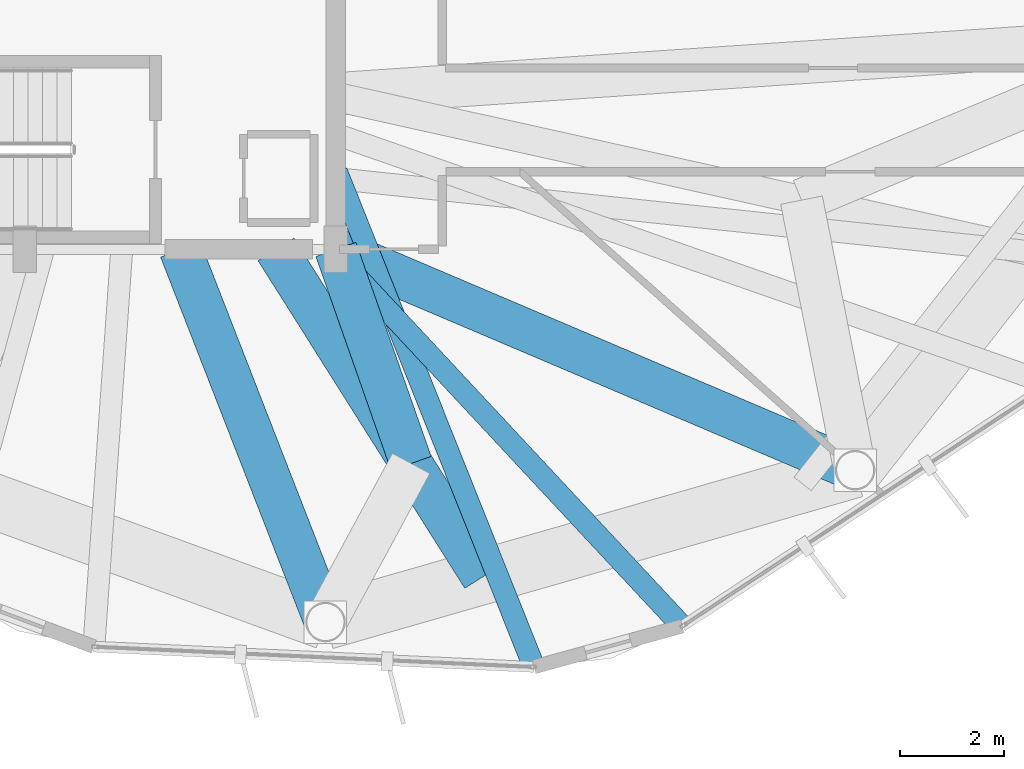
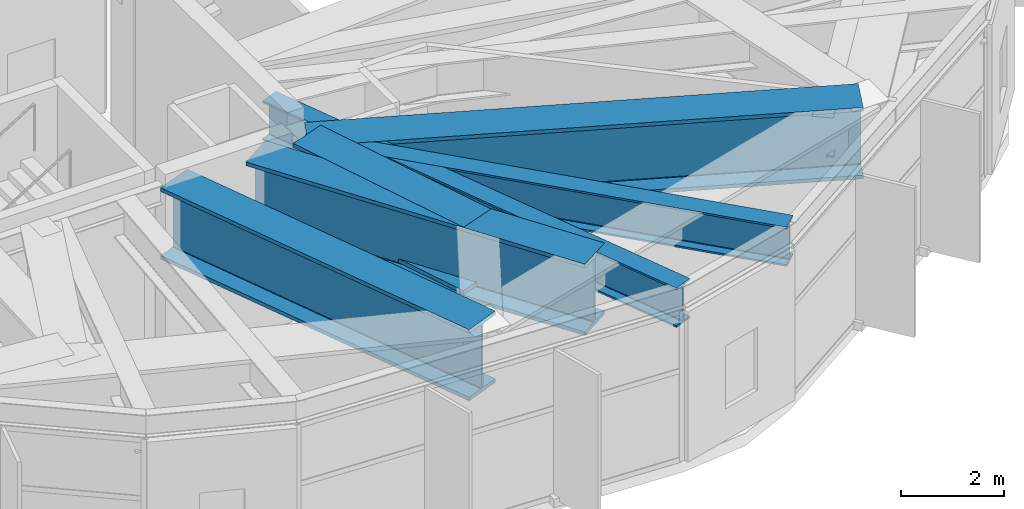
# One storey, part 7 of 27: 6 beams.
"""IFC4 building model written with IfcOpenShell, lengths in metres."""

from ifc_helpers import new_model, si_unit, direction, frame, origin, origin_2d, place, context, subcontext, project, spatial, i_section, extrude, material, material_profile, profile_set, type_object, element, save


model = new_model("IFC4")

# Units and contexts
model_context = context("Model", 3, precision=1e-05, world=origin(), true_north=direction((0.0, 1.0)))
body_context = subcontext(model_context, "Body", "Model", "MODEL_VIEW")
ifc_project = project(units=[si_unit("LENGTHUNIT", "METRE"), si_unit("AREAUNIT", "SQUARE_METRE"), si_unit("VOLUMEUNIT", "CUBIC_METRE"), si_unit("PLANEANGLEUNIT", "RADIAN"), si_unit("MASSUNIT", "GRAM", prefix="KILO")], contexts=[model_context])

# Site, building, storey
site_placement = place(None, origin())
site = spatial("IfcSite", under=ifc_project, at=site_placement, CompositionType="ELEMENT")
building_placement = place(site_placement, origin())
building = spatial("IfcBuilding", under=site, at=building_placement, Name="Soratama Intermodal Tower", CompositionType="ELEMENT")
storey_placement = place(building_placement, frame((0.0, 0.0, 288.550048828125)))
storey = spatial("IfcBuildingStorey", under=building, at=storey_placement, Name="L73", CompositionType="ELEMENT", Elevation=288.550048828125)

# Beams
ifc_material_1 = material(Name="Structural steel ASTM A992 Grade 50", Category="steel")
ifc_material_profile_1 = material_profile(ifc_material_1, i_section(OverallWidth=0.423095703125, OverallDepth=0.93896484375, WebThickness=0.02392578125, FlangeThickness=0.042724609375, FilletRadius=0.02392578125, at=origin_2d()), Name="W36X302")
ifc_profile_set_1 = profile_set([ifc_material_profile_1], Name="Structural steel ASTM A992 Grade 50")
beam_type_1 = type_object("IfcBeamType", Name="BM-POD-W36X302", PredefinedType="BEAM", material=ifc_profile_set_1)
beam_1_placement = place(storey_placement, frame((44.614990234375, 16.4951171875, 3.725341796875), z_axis=(0.370244192411, -0.928934463773, 0.0), x_axis=(0.928934463773, 0.370244192411, 0.0)))
element("IfcBeam", 1, at=beam_1_placement, inside=storey, type_object=beam_type_1, Name="BM-L73-TIE1-06", PredefinedType="BEAM", context=body_context, shape_type="SweptSolid", body=[
    extrude(i_section(OverallWidth=0.423095703125, OverallDepth=0.93896484375, WebThickness=0.02392578125, FlangeThickness=0.042724609375, FilletRadius=0.02392578125, at=origin_2d()), origin(), (0.0, 0.0, 1.0), 10.28271484375),
])
beam_2_placement = place(storey_placement, frame((44.531982421875, 14.970947265625, 3.725341796875), z_axis=(0.681824291132, -0.731515984803, 0.0), x_axis=(0.731515984803, 0.681824291132, 0.0)))
element("IfcBeam", 2, at=beam_2_placement, inside=storey, type_object=beam_type_1, Name="BM-L73-TIE0-07", PredefinedType="BEAM", context=body_context, shape_type="SweptSolid", body=[
    extrude(i_section(OverallWidth=0.423095703125, OverallDepth=0.93896484375, WebThickness=0.02392578125, FlangeThickness=0.042724609375, FilletRadius=0.02392578125, at=origin_2d()), origin(), (0.0, 0.0, 1.0), 9.89990234375),
])
ifc_material_2 = material(Name="Structural steel ASTM A992 Grade 50", Category="steel")
ifc_material_profile_2 = material_profile(ifc_material_2, i_section(OverallWidth=0.820068359375, OverallDepth=1.699951171875, WebThickness=0.053955078125, FlangeThickness=0.087890625, FilletRadius=0.02392578125, at=origin_2d()), Name="PG1580X800")
ifc_profile_set_2 = profile_set([ifc_material_profile_2], Name="Structural steel ASTM A992 Grade 50")
beam_type_2 = type_object("IfcBeamType", Name="BM-ZSTEP-PG1580", PredefinedType="BEAM", material=ifc_profile_set_2)
beam_3_placement = place(storey_placement, frame((47.43408203125, 8.679931640625, 3.344970703125), z_axis=(-0.533743471118, 0.845646443284, 0.0), x_axis=(-0.845646443284, -0.533743471118, 0.0)))
element("IfcBeam", 3, at=beam_3_placement, inside=storey, type_object=beam_type_2, Name="BM-L73-ZCHORD-08", PredefinedType="BEAM", context=body_context, shape_type="SweptSolid", body=[
    extrude(i_section(OverallWidth=0.820068359375, OverallDepth=1.699951171875, WebThickness=0.053955078125, FlangeThickness=0.087890625, FilletRadius=0.02392578125, at=origin_2d()), origin(), (0.0, 0.0, 1.0), 7.4736328125),
])
beam_4_placement = place(storey_placement, frame((41.60009765625, 15.0, 3.344970703125), z_axis=(0.362907405592, -0.931825206231, 0.0), x_axis=(0.931825206231, 0.362907405592, 0.0)))
element("IfcBeam", 4, at=beam_4_placement, inside=storey, type_object=beam_type_2, Name="BM-L73-RAD-08", PredefinedType="BEAM", context=body_context, shape_type="SweptSolid", body=[
    extrude(i_section(OverallWidth=0.820068359375, OverallDepth=1.699951171875, WebThickness=0.053955078125, FlangeThickness=0.087890625, FilletRadius=0.02392578125, at=origin_2d()), origin(), (0.0, 0.0, 1.0), 7.71484375),
])
beam_5_placement = place(storey_placement, frame((44.60009765625, 15.0, 3.344970703125), z_axis=(0.920282671955, -0.391254142087, 0.0), x_axis=(0.391254142087, 0.920282671955, 0.0)))
element("IfcBeam", 5, at=beam_5_placement, inside=storey, type_object=beam_type_2, Name="BM-L73-RAD-09", PredefinedType="BEAM", context=body_context, shape_type="SweptSolid", body=[
    extrude(i_section(OverallWidth=0.820068359375, OverallDepth=1.699951171875, WebThickness=0.053955078125, FlangeThickness=0.087890625, FilletRadius=0.02392578125, at=origin_2d()), origin(), (0.0, 0.0, 1.0), 10.885498046875),
])
ifc_material_3 = material(Name="Structural steel ASTM A992 Grade 50", Category="steel")
ifc_material_profile_3 = material_profile(ifc_material_3, i_section(OverallWidth=0.820068359375, OverallDepth=1.60205078125, WebThickness=0.055908203125, FlangeThickness=0.092041015625, FilletRadius=0.02392578125, at=origin_2d()), Name="PG1600X650")
ifc_profile_set_3 = profile_set([ifc_material_profile_3], Name="Structural steel ASTM A992 Grade 50")
beam_type_3 = type_object("IfcBeamType", Name="BM-ZSTEP-PG1600", PredefinedType="BEAM", material=ifc_profile_set_3)
beam_6_placement = place(storey_placement, frame((46.052001953125, 10.8701171875, 3.39404296875), z_axis=(-0.331661746867, 0.943398370608, 0.0), x_axis=(-0.943398370608, -0.331661746867, 0.0)))
element("IfcBeam", 6, at=beam_6_placement, inside=storey, type_object=beam_type_3, Name="BM-L73-ZSTEP-B08", PredefinedType="BEAM", context=body_context, shape_type="SweptSolid", body=[
    extrude(i_section(OverallWidth=0.820068359375, OverallDepth=1.60205078125, WebThickness=0.055908203125, FlangeThickness=0.092041015625, FilletRadius=0.02392578125, at=origin_2d()), origin(), (0.0, 0.0, 1.0), 4.377685546875),
])

save(model, "model.ifc")
